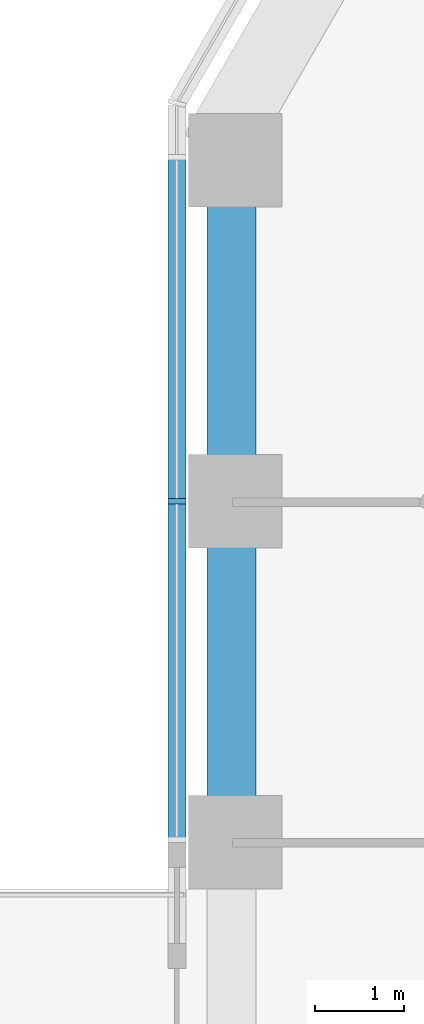
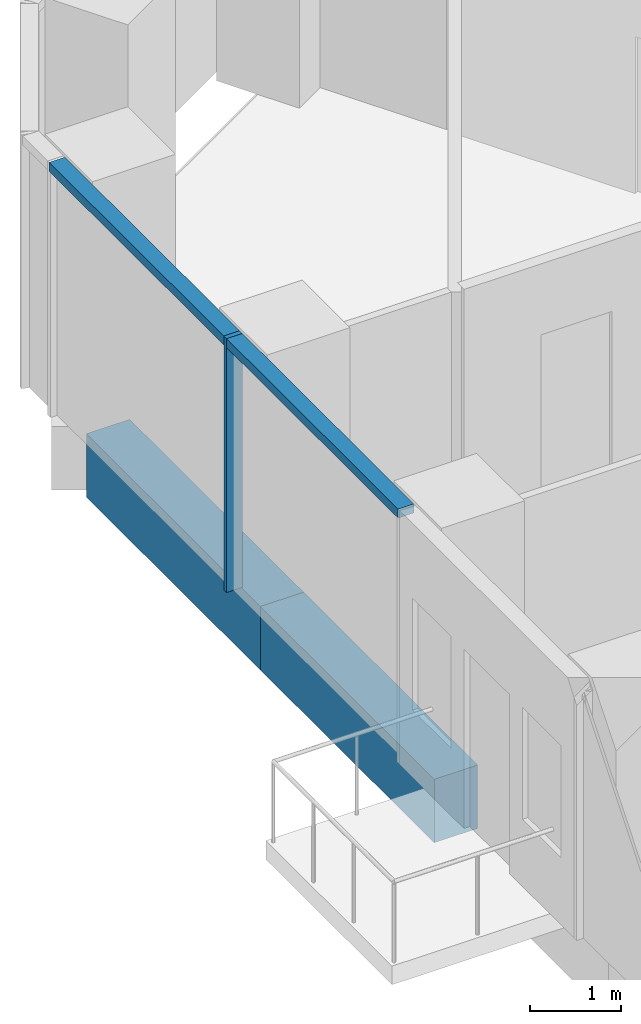
# One storey, part 4 of 20: 2 beams, 2 members, 1 element without a shape of its own.
"""IFC4 building model written with IfcOpenShell, lengths in metres."""

from ifc_helpers import new_model, si_unit, direction, frame, origin, origin_2d, place, context, subcontext, project, spatial, rectangle, extrude, material, layer, layer_set, material_profile, profile_set, type_object, element, aggregate, save


model = new_model("IFC4")

# Units and contexts
model_context = context("Model", 3, precision=1e-05, world=origin(), true_north=direction((0.0, 1.0)))
body_context = subcontext(model_context, "Body", "Model", "MODEL_VIEW")
ifc_project = project(units=[si_unit("LENGTHUNIT", "METRE"), si_unit("AREAUNIT", "SQUARE_METRE"), si_unit("VOLUMEUNIT", "CUBIC_METRE"), si_unit("PLANEANGLEUNIT", "RADIAN"), si_unit("MASSUNIT", "GRAM", prefix="KILO")], contexts=[model_context])

# Site, building, storey
site_placement = place(None, origin())
site = spatial("IfcSite", under=ifc_project, at=site_placement, CompositionType="ELEMENT")
building_placement = place(site_placement, origin())
building = spatial("IfcBuilding", under=site, at=building_placement, Name="Ayvan Gate Tower", CompositionType="ELEMENT")
storey_placement = place(building_placement, frame((0.0, 0.0, 86.5)))
storey = spatial("IfcBuildingStorey", under=building, at=storey_placement, Name="L22", CompositionType="ELEMENT", Elevation=86.5)

# Beams
ifc_material_1 = material(Name="Concrete C40/50", Category="concrete")
ifc_material_profile_1 = material_profile(ifc_material_1, rectangle(XDim=0.550048828125, YDim=0.85009765625, at=origin_2d()), Name="RC 550x850")
ifc_profile_set_1 = profile_set([ifc_material_profile_1], Name="Concrete C40/50")
beam_type = type_object("IfcBeamType", Name="Spandrel beam RC 550x850 C40/50", PredefinedType="BEAM", material=ifc_profile_set_1)
beam_1_placement = place(storey_placement, frame((-19.439697265625, 9.54443359375, -0.77490234375), z_axis=(0.0, -1.0, 0.0), x_axis=(1.0, 0.0, 0.0)))
element("IfcBeam", 1, at=beam_1_placement, inside=storey, type_object=beam_type, Name="SB-L22-19", PredefinedType="BEAM", context=body_context, shape_type="SweptSolid", body=[
    extrude(rectangle(XDim=0.550048828125, YDim=0.85009765625, at=origin_2d()), origin(), (0.0, 0.0, 1.0), 3.81787109375),
])
beam_2_placement = place(storey_placement, frame((-19.439697265625, 5.7265625, -0.77490234375), z_axis=(0.0, -1.0, 0.0), x_axis=(1.0, 0.0, 0.0)))
element("IfcBeam", 2, at=beam_2_placement, inside=storey, type_object=beam_type, Name="SB-L22-20", PredefinedType="BEAM", context=body_context, shape_type="SweptSolid", body=[
    extrude(rectangle(XDim=0.550048828125, YDim=0.85009765625, at=origin_2d()), origin(), (0.0, 0.0, 1.0), 3.817626953125),
])

# Curtain wall, members
ifc_material_2 = material(Name="Bronze anodised aluminium", Category="aluminium")
ifc_layer = layer(ifc_material_2, 0.199951171875)
ifc_layer_set = layer_set([ifc_layer], Name="Bronze anodised aluminium")
curtain_wall_type = type_object("IfcCurtainWallType", Name="Stick curtain wall CW-1", PredefinedType="NOTDEFINED", material=ifc_layer_set)
curtain_wall_placement = place(storey_placement, origin())
curtain_wall = element("IfcCurtainWall", 3, at=curtain_wall_placement, inside=storey, type_object=curtain_wall_type, Name="Stick curtain wall CW-1 L22", PredefinedType="NOTDEFINED")
ifc_material_profile_2 = material_profile(ifc_material_2, rectangle(XDim=0.199951171875, YDim=0.06005859375, at=origin_2d()), Name="Stick curtain wall CW-1 mullion 200 x 60")
ifc_profile_set_2 = profile_set([ifc_material_profile_2], Name="Bronze anodised aluminium")
member_type_1 = type_object("IfcMemberType", Name="Stick curtain wall CW-1 mullion 200 x 60", PredefinedType="MULLION", material=ifc_profile_set_2)
member_1_placement = place(storey_placement, frame((-20.05126953125, 5.741455078125, 0.0), z_axis=(0.0, 0.0, 1.0), x_axis=(-1.0, 0.0, 0.0)))
member_1 = element("IfcMember", 4, at=member_1_placement, type_object=member_type_1, Name="CW-1 mullion 2", PredefinedType="MULLION", context=body_context, shape_type="SweptSolid", body=[
    extrude(rectangle(XDim=0.199951171875, YDim=0.06005859375, at=origin_2d()), origin(), (0.0, 0.0, 1.0), 3.39990234375),
])
ifc_material_profile_3 = material_profile(ifc_material_2, rectangle(XDim=0.199951171875, YDim=0.1201171875, at=origin_2d()), Name="Stick curtain wall CW-1 transom 200 x 120")
ifc_profile_set_3 = profile_set([ifc_material_profile_3], Name="Bronze anodised aluminium")
member_type_2 = type_object("IfcMemberType", Name="Stick curtain wall CW-1 transom 200 x 120", PredefinedType="USERDEFINED", material=ifc_profile_set_3)
member_2_placement = place(storey_placement, frame((-20.05126953125, 9.6044921875, 3.340087890625), z_axis=(0.0, -1.0, 0.0), x_axis=(1.0, 0.0, 0.0)))
member_2 = element("IfcMember", 5, at=member_2_placement, type_object=member_type_2, Name="CW-1 transom 1", ObjectType="TRANSOM", PredefinedType="USERDEFINED", context=body_context, shape_type="SweptSolid", body=[
    extrude(rectangle(XDim=0.199951171875, YDim=0.1201171875, at=origin_2d()), origin(), (0.0, 0.0, 1.0), 7.660888671875),
])
aggregate(curtain_wall, [member_1, member_2])

save(model, "model.ifc")
